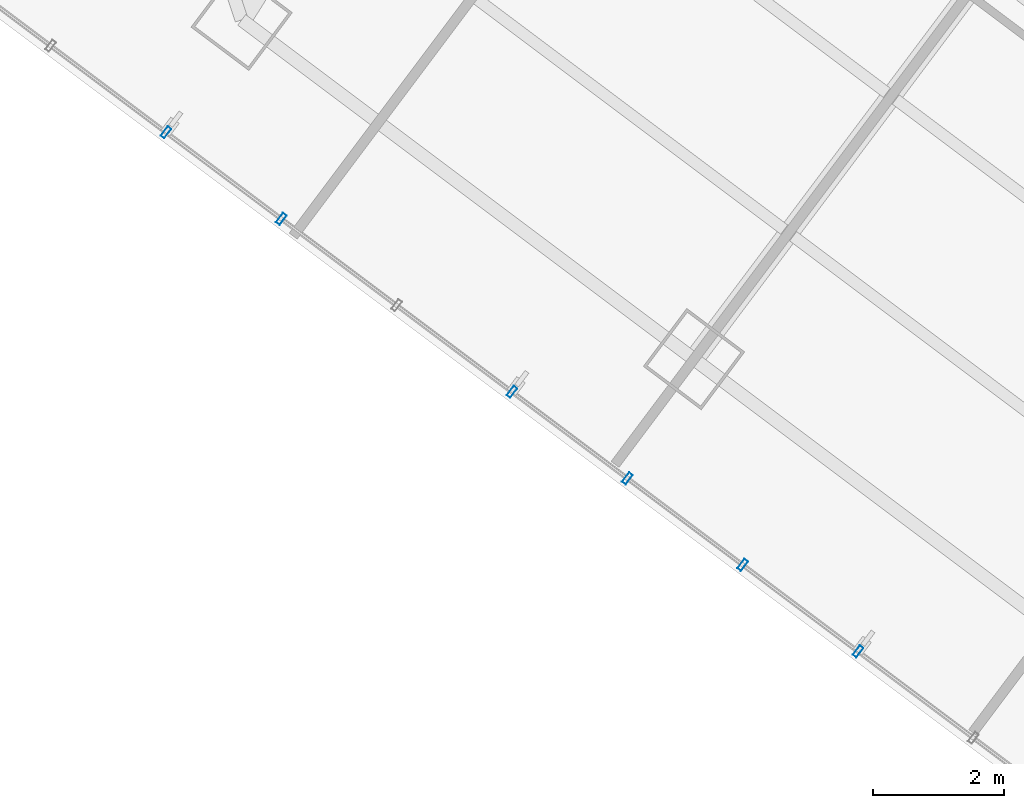
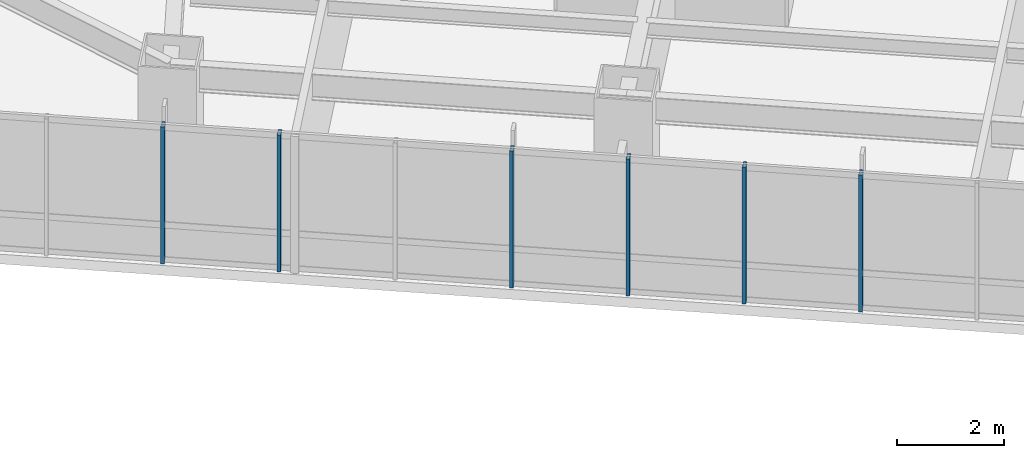
# One storey, part 9 of 38: 6 members, 1 element without a shape of its own.
"""IFC4 building model written with IfcOpenShell, lengths in metres."""

import ifcopenshell
import ifcopenshell.guid

model = None  # the IFC model being written
_history = None  # IfcOwnerHistory: only IFC2X3 demands one
_inside = {}  # id of a spatial element -> (the spatial element, [elements in it])
_under = {}  # id of a project, library or spatial element -> (it, [spatial elements below it])
_declared = {}  # id of a project -> (the project, [libraries it declares])
_typed = {}  # id of a type object -> (the type object, [elements of that type])
_made_of = {}  # id of a material, layer set ... -> (it, [elements and type objects made of it])


def new_model(schema):
    """Start an empty IFC model of exactly this schema.

    Asked for "IFC4X3", IfcOpenShell would pick the latest addendum, in which some entities
    have other attributes; the version numbers below select the first issue.
    IFC2X3 requires an IfcOwnerHistory on every rooted entity: one is made here for all.
    """
    global model, _history
    if schema == "IFC4X3":
        model = ifcopenshell.file(schema_version=(4, 3, 0, 0))
    else:
        model = ifcopenshell.file(schema=schema)
    _inside.clear()
    _under.clear()
    _declared.clear()
    _typed.clear()
    _made_of.clear()
    _history = None
    if model.schema == "IFC2X3":
        org = make("IfcOrganization", Name="unknown")
        user = make(
            "IfcPersonAndOrganization",
            ThePerson=make("IfcPerson", FamilyName="unknown"),
            TheOrganization=org,
        )
        app = make(
            "IfcApplication",
            ApplicationDeveloper=org,
            Version="unknown",
            ApplicationFullName="unknown",
            ApplicationIdentifier="unknown",
        )
        _history = make(
            "IfcOwnerHistory",
            OwningUser=user,
            OwningApplication=app,
            ChangeAction="ADDED",
            CreationDate=0,
        )
    return model


def make(cls, **values):
    """One entity of the class cls with the attributes given. An attribute that is None is left unset."""
    return model.create_entity(
        cls, **{name: value for name, value in values.items() if value is not None}
    )


def rooted(cls, **values):
    """An entity with a GlobalId (a new one), such as an element, a storey or a relation."""
    return make(cls, GlobalId=ifcopenshell.guid.new(), OwnerHistory=_history, **values)


def si_unit(unit_type, name, prefix=None):
    """IfcSIUnit, for example si_unit("LENGTHUNIT", "METRE", prefix="MILLI")."""
    return make("IfcSIUnit", UnitType=unit_type, Prefix=prefix, Name=name)


def assignment(units):
    """IfcUnitAssignment: the units of a project."""
    return None if units is None else make("IfcUnitAssignment", Units=units)


def point(xyz):
    """IfcCartesianPoint."""
    return None if xyz is None else make("IfcCartesianPoint", Coordinates=xyz)


def direction(xyz):
    """IfcDirection."""
    return None if xyz is None else make("IfcDirection", DirectionRatios=xyz)


def frame(location, z_axis=None, x_axis=None):
    """IfcAxis2Placement3D, a coordinate frame: its origin and axes. An axis left out is left unset."""
    return make(
        "IfcAxis2Placement3D",
        Location=point(location),
        Axis=direction(z_axis),
        RefDirection=direction(x_axis),
    )


def frame_2d(location, x_axis=None):
    """IfcAxis2Placement2D, a coordinate frame in the plane: its origin and x axis."""
    return make(
        "IfcAxis2Placement2D", Location=point(location), RefDirection=direction(x_axis)
    )


def origin():
    """The frame at (0, 0, 0) with its axes left unset."""
    return frame((0.0, 0.0, 0.0))


def origin_2d():
    """The frame at (0, 0) in the plane with its x axis left unset."""
    return frame_2d((0.0, 0.0))


def place(relative_to, where):
    """IfcLocalPlacement: puts the frame where relative to a parent placement (None: the world)."""
    return make(
        "IfcLocalPlacement", PlacementRelTo=relative_to, RelativePlacement=where
    )


def context(
    kind, dimensions, precision=None, world=None, true_north=None, identifier=None
):
    """IfcGeometricRepresentationContext, for example the 3D "Model" context."""
    return make(
        "IfcGeometricRepresentationContext",
        ContextIdentifier=identifier,
        ContextType=kind,
        CoordinateSpaceDimension=dimensions,
        Precision=precision,
        WorldCoordinateSystem=world,
        TrueNorth=true_north,
    )


def subcontext(parent, identifier, kind, view, scale=None):
    """IfcGeometricRepresentationSubContext, for example "Body" below "Model"."""
    return make(
        "IfcGeometricRepresentationSubContext",
        ContextIdentifier=identifier,
        ContextType=kind,
        ParentContext=parent,
        TargetScale=scale,
        TargetView=view,
    )


def project(units=None, contexts=None):
    """IfcProject with its units and contexts."""
    return rooted(
        "IfcProject",
        Name="project",
        RepresentationContexts=contexts,
        UnitsInContext=assignment(units),
    )


def spatial(cls, under=None, at=None, **own):
    """A site, building, storey or space (cls), placed at a placement, below another one or the project."""
    s = rooted(cls, ObjectPlacement=at, **own)
    if under is not None:
        _under.setdefault(under.id(), (under, []))[1].append(s)
    return s


def profile(cls, at=None, kind="AREA", **sizes):
    """A parametric profile (cls). Its sizes go by their IFC names, for example OverallWidth=200.0."""
    return make(cls, ProfileType=kind, Position=at, **sizes)


def hollow_rectangle(**sizes):
    """IfcRectangleHollowProfileDef."""
    return profile("IfcRectangleHollowProfileDef", **sizes)


def extrude(swept, where, along, depth):
    """IfcExtrudedAreaSolid: the profile swept, set in the frame where, extruded along a direction by depth."""
    return make(
        "IfcExtrudedAreaSolid",
        SweptArea=swept,
        Position=where,
        ExtrudedDirection=direction(along),
        Depth=depth,
    )


def shape(context_of_items, identifier, shape_type, items):
    """IfcShapeRepresentation: the items that make up one representation, for example the "Body"."""
    return make(
        "IfcShapeRepresentation",
        ContextOfItems=context_of_items,
        RepresentationIdentifier=identifier,
        RepresentationType=shape_type,
        Items=items,
    )


def material(Name=None, Category=None):
    """IfcMaterial."""
    return make("IfcMaterial", Name=Name, Category=Category)


def layer(
    of_material, thickness, ventilated=None, Name=None, Category=None, Priority=None
):
    """IfcMaterialLayer: one layer of a wall or slab, of a material (None: an air gap)."""
    return make(
        "IfcMaterialLayer",
        Material=of_material,
        LayerThickness=thickness,
        IsVentilated=ventilated,
        Name=Name,
        Category=Category,
        Priority=Priority,
    )


def layer_set(layers, Name=None):
    """IfcMaterialLayerSet."""
    return make("IfcMaterialLayerSet", MaterialLayers=layers, LayerSetName=Name)


def material_profile(
    of_material, cross_section, Name=None, Category=None, Priority=None
):
    """IfcMaterialProfile: a cross section and its material."""
    return make(
        "IfcMaterialProfile",
        Name=Name,
        Material=of_material,
        Profile=cross_section,
        Priority=Priority,
        Category=Category,
    )


def profile_set(profiles, Name=None, composite=None):
    """IfcMaterialProfileSet."""
    return make(
        "IfcMaterialProfileSet",
        Name=Name,
        MaterialProfiles=profiles,
        CompositeProfile=composite,
    )


def made_of(thing, what):
    """Note that an element or type object is made of a material, layer set ...; save() writes the relation."""
    if what is not None:
        _made_of.setdefault(what.id(), (what, []))[1].append(thing)
    return thing


def type_object(cls, material=None, **own):
    """A type object (cls), such as IfcWallType, which elements share."""
    return made_of(rooted(cls, **own), material)


def element(
    cls,
    number,
    at=None,
    inside=None,
    cuts=None,
    type_object=None,
    material=None,
    context=None,
    identifier="Body",
    shape_type=None,
    held_by="IfcProductDefinitionShape",
    body=None,
    shapes=None,
    **own,
):
    """One element of the class cls, such as IfcWall. Its Tag is "e" and its number.

    at: its placement. inside: the storey or other place that contains it. cuts: it is an
    opening in that element (IfcRelVoidsElement). A single representation is given by context,
    identifier, shape_type and body (its items); several are given by shapes. held_by: the class
    of the entity that holds the representations. save() writes the other relations.
    """
    e = rooted(cls, Tag="e%d" % number, ObjectPlacement=at, **own)
    if body is not None:
        shapes = [shape(context, identifier, shape_type, body)]
    if shapes is not None:
        e.Representation = make(held_by, Representations=shapes)
    if inside is not None:
        _inside.setdefault(inside.id(), (inside, []))[1].append(e)
    if cuts is not None:
        rooted(
            "IfcRelVoidsElement", RelatingBuildingElement=cuts, RelatedOpeningElement=e
        )
    if type_object is not None:
        _typed.setdefault(type_object.id(), (type_object, []))[1].append(e)
    return made_of(e, material)


def aggregate(whole, parts):
    """IfcRelAggregates: a whole, such as a stair, and the parts it consists of."""
    return rooted("IfcRelAggregates", RelatingObject=whole, RelatedObjects=parts)


def save(model, path):
    """Write the relations noted so far, then the file.

    IfcRelAggregates (storeys below a building ...), IfcRelContainedInSpatialStructure (elements
    in a storey), IfcRelDefinesByType, IfcRelAssociatesMaterial and IfcRelDeclares: one each for
    every whole, place, type object, material and project.
    """
    for whole, parts in _under.values():
        aggregate(whole, parts)
    for where, things in _inside.values():
        rooted(
            "IfcRelContainedInSpatialStructure",
            RelatedElements=things,
            RelatingStructure=where,
        )
    for kind, things in _typed.values():
        rooted("IfcRelDefinesByType", RelatedObjects=things, RelatingType=kind)
    for what, things in _made_of.values():
        rooted("IfcRelAssociatesMaterial", RelatedObjects=things, RelatingMaterial=what)
    for by, libraries in _declared.values():
        rooted("IfcRelDeclares", RelatingContext=by, RelatedDefinitions=libraries)
    model.write(path)


model = new_model("IFC4")

# Units and contexts
model_context = context("Model", 3, precision=1e-05, world=origin(), true_north=direction((0.0, 1.0)))
body_context = subcontext(model_context, "Body", "Model", "MODEL_VIEW")
ifc_project = project(units=[si_unit("LENGTHUNIT", "METRE"), si_unit("AREAUNIT", "SQUARE_METRE"), si_unit("VOLUMEUNIT", "CUBIC_METRE"), si_unit("PLANEANGLEUNIT", "RADIAN"), si_unit("MASSUNIT", "GRAM", prefix="KILO")], contexts=[model_context])

# Site, building, storey
site_placement = place(None, origin())
site = spatial("IfcSite", under=ifc_project, at=site_placement, CompositionType="ELEMENT")
building_placement = place(site_placement, origin())
building = spatial("IfcBuilding", under=site, at=building_placement, Name="Hatsunagi Terrace Concourse", CompositionType="ELEMENT")
storey_placement = place(building_placement, frame((0.0, 0.0, 63.39990234375)))
storey = spatial("IfcBuildingStorey", under=building, at=storey_placement, Name="L16", CompositionType="ELEMENT", Elevation=63.39990234375)

# Curtain wall, members
ifc_material_1 = material(Name="Anodised Aluminium Alloy 6063-T5", Category="aluminium")
ifc_layer = layer(ifc_material_1, 0.199951171875)
ifc_layer_set = layer_set([ifc_layer], Name="HotelFacade_CW02")
curtain_wall_type = type_object("IfcCurtainWallType", Name="HotelFacade_CW02", PredefinedType="NOTDEFINED", material=ifc_layer_set)
curtain_wall_placement = place(storey_placement, origin())
curtain_wall = element("IfcCurtainWall", 1, at=curtain_wall_placement, inside=storey, type_object=curtain_wall_type, Name="Unitised Curtain Wall CW-02 CW-L16-05", PredefinedType="NOTDEFINED")
ifc_material_2 = material(Name="Anodised Aluminium Alloy 6063-T5", Category="aluminium")
ifc_material_profile = material_profile(ifc_material_2, hollow_rectangle(XDim=0.070068359375, YDim=0.179931640625, WallThickness=0.00390625, at=origin_2d()), Name="ALU-MUL-180x70x4")
ifc_profile_set = profile_set([ifc_material_profile], Name="Anodised Aluminium Alloy 6063-T5")
member_type = type_object("IfcMemberType", Name="CurtainWallMullion_180x70", PredefinedType="MULLION", material=ifc_profile_set)
member_1_placement = place(storey_placement, frame((48.054931640625, 6.43408203125, 0.0), z_axis=(0.0, 0.0, 1.0), x_axis=(-0.800003116929, 0.599995844072, 0.0)))
member_1 = element("IfcMember", 2, at=member_1_placement, type_object=member_type, Name="Curtain Wall Mullion MUL-02", PredefinedType="MULLION", context=body_context, shape_type="SweptSolid", body=[
    extrude(hollow_rectangle(XDim=0.070068359375, YDim=0.179931640625, WallThickness=0.00390625, at=origin_2d()), origin(), (0.0, 0.0, 1.0), 3.130126953125),
])
member_2_placement = place(storey_placement, frame((46.300048828125, 7.75, 0.0), z_axis=(0.0, 0.0, 1.0), x_axis=(-0.800003116929, 0.599995844072, 0.0)))
member_2 = element("IfcMember", 3, at=member_2_placement, type_object=member_type, Name="Curtain Wall Mullion MUL-02", PredefinedType="MULLION", context=body_context, shape_type="SweptSolid", body=[
    extrude(hollow_rectangle(XDim=0.070068359375, YDim=0.179931640625, WallThickness=0.00390625, at=origin_2d()), origin(), (0.0, 0.0, 1.0), 3.130126953125),
])
member_3_placement = place(storey_placement, frame((44.5458984375, 9.06591796875, 0.0), z_axis=(0.0, 0.0, 1.0), x_axis=(-0.800003116929, 0.599995844072, 0.0)))
member_3 = element("IfcMember", 4, at=member_3_placement, type_object=member_type, Name="Curtain Wall Mullion MUL-02", PredefinedType="MULLION", context=body_context, shape_type="SweptSolid", body=[
    extrude(hollow_rectangle(XDim=0.070068359375, YDim=0.179931640625, WallThickness=0.00390625, at=origin_2d()), origin(), (0.0, 0.0, 1.0), 3.130126953125),
])
member_4_placement = place(storey_placement, frame((42.791015625, 10.382080078125, 0.0), z_axis=(0.0, 0.0, 1.0), x_axis=(-0.800003116929, 0.599995844072, 0.0)))
member_4 = element("IfcMember", 5, at=member_4_placement, type_object=member_type, Name="Curtain Wall Mullion MUL-02", PredefinedType="MULLION", context=body_context, shape_type="SweptSolid", body=[
    extrude(hollow_rectangle(XDim=0.070068359375, YDim=0.179931640625, WallThickness=0.00390625, at=origin_2d()), origin(), (0.0, 0.0, 1.0), 3.130126953125),
])
member_5_placement = place(storey_placement, frame((39.281982421875, 13.012939453125, 0.0), z_axis=(0.0, 0.0, 1.0), x_axis=(-0.800003116929, 0.599995844072, 0.0)))
member_5 = element("IfcMember", 6, at=member_5_placement, type_object=member_type, Name="Curtain Wall Mullion MUL-02", PredefinedType="MULLION", context=body_context, shape_type="SweptSolid", body=[
    extrude(hollow_rectangle(XDim=0.070068359375, YDim=0.179931640625, WallThickness=0.00390625, at=origin_2d()), origin(), (0.0, 0.0, 1.0), 3.130126953125),
])
member_6_placement = place(storey_placement, frame((37.528076171875, 14.3291015625, 0.0), z_axis=(0.0, 0.0, 1.0), x_axis=(-0.800003116929, 0.599995844072, 0.0)))
member_6 = element("IfcMember", 7, at=member_6_placement, type_object=member_type, Name="Curtain Wall Mullion MUL-02", PredefinedType="MULLION", context=body_context, shape_type="SweptSolid", body=[
    extrude(hollow_rectangle(XDim=0.070068359375, YDim=0.179931640625, WallThickness=0.00390625, at=origin_2d()), origin(), (0.0, 0.0, 1.0), 3.130126953125),
])
aggregate(curtain_wall, [member_1, member_2, member_3, member_4, member_5, member_6])

save(model, "model.ifc")
